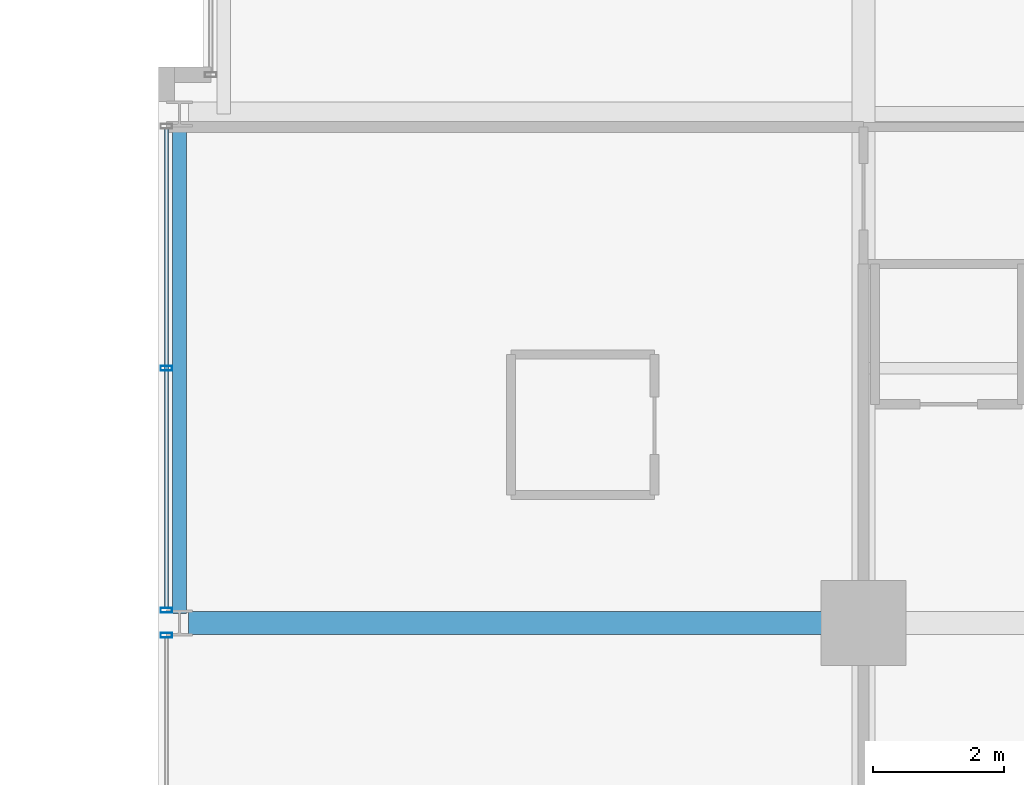
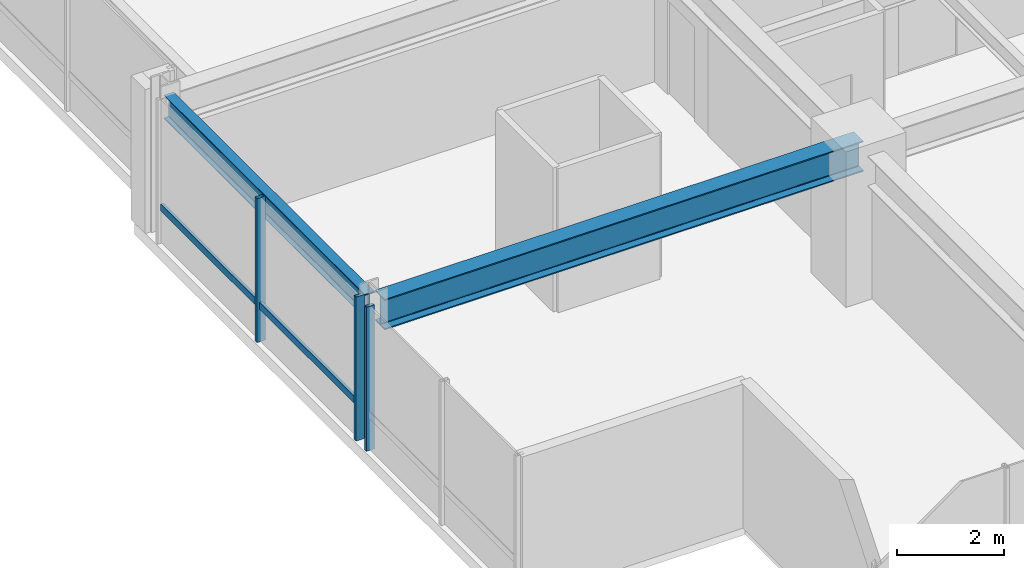
# One storey, part 4 of 32: 4 members, 2 beams, 2 elements without a shape of their own.
"""IFC4 building model written with IfcOpenShell, lengths in metres."""

from ifc_helpers import new_model, si_unit, direction, frame, origin, origin_2d, place, context, subcontext, project, spatial, hollow_rectangle, i_section, extrude, material, layer, layer_set, material_profile, profile_set, type_object, element, aggregate, save


model = new_model("IFC4")

# Units and contexts
model_context = context("Model", 3, precision=1e-05, world=origin(), true_north=direction((0.0, 1.0)))
body_context = subcontext(model_context, "Body", "Model", "MODEL_VIEW")
ifc_project = project(units=[si_unit("LENGTHUNIT", "METRE"), si_unit("AREAUNIT", "SQUARE_METRE"), si_unit("VOLUMEUNIT", "CUBIC_METRE"), si_unit("PLANEANGLEUNIT", "RADIAN"), si_unit("MASSUNIT", "GRAM", prefix="KILO")], contexts=[model_context])

# Site, building, storey
site_placement = place(None, origin())
site = spatial("IfcSite", under=ifc_project, at=site_placement, CompositionType="ELEMENT")
building_placement = place(site_placement, origin())
building = spatial("IfcBuilding", under=site, at=building_placement, Name="Drelvath Grand Hotel", CompositionType="ELEMENT")
storey_placement = place(building_placement, frame((0.0, 0.0, 182.35009765625)))
storey = spatial("IfcBuildingStorey", under=building, at=storey_placement, Name="L47", CompositionType="ELEMENT", Elevation=182.35009765625)

# Curtain wall, member
ifc_material_1 = material(Name="Brushed Pale-Silver Anodised Aluminium Frame", Category="aluminium")
ifc_layer = layer(ifc_material_1, 0.199951171875)
ifc_layer_set = layer_set([ifc_layer], Name="Brushed Pale-Silver Anodised Aluminium Frame")
curtain_wall_type = type_object("IfcCurtainWallType", Name="Stick Curtain Wall CW-04 Brushed Silver Upper-Mid", PredefinedType="NOTDEFINED", material=ifc_layer_set)
curtain_wall_1_placement = place(storey_placement, origin())
curtain_wall_1 = element("IfcCurtainWall", 1, at=curtain_wall_1_placement, inside=storey, type_object=curtain_wall_type, Name="L47 CW-04 Curtain Wall CW04-L47-WS2", PredefinedType="NOTDEFINED")
ifc_material_profile_1 = material_profile(ifc_material_1, hollow_rectangle(XDim=0.06494140625, YDim=0.159912109375, WallThickness=0.00390625, at=origin_2d()), Name="HSS160X65X4")
ifc_profile_set_1 = profile_set([ifc_material_profile_1], Name="Brushed Pale-Silver Anodised Aluminium Frame")
member_type_1 = type_object("IfcMemberType", Name="Curtain Wall Horizontal Transom CW-04 HSS160X65X4", PredefinedType="USERDEFINED", material=ifc_profile_set_1)
member_1_placement = place(storey_placement, frame((-26.8798828125, 11.03173828125, 0.822509765625), z_axis=(0.0, 1.0, 0.0), x_axis=(-1.0, 0.0, 0.0)))
member_1 = element("IfcMember", 2, at=member_1_placement, type_object=member_type_1, Name="CW04-L47-WS2 Sill Transom", ObjectType="TRANSOM", PredefinedType="USERDEFINED", context=body_context, shape_type="SweptSolid", body=[
    extrude(hollow_rectangle(XDim=0.06494140625, YDim=0.159912109375, WallThickness=0.00390625, at=origin_2d()), origin(), (0.0, 0.0, 1.0), 7.336669921875),
])

curtain_wall_2_placement = place(storey_placement, origin())
curtain_wall_2 = element("IfcCurtainWall", 3, at=curtain_wall_2_placement, inside=storey, type_object=curtain_wall_type, Name="L47 CW-04 Curtain Wall CW04-L47-WS1", PredefinedType="NOTDEFINED")
ifc_material_profile_2 = material_profile(ifc_material_1, hollow_rectangle(XDim=0.074951171875, YDim=0.179931640625, WallThickness=0.0048828125, at=origin_2d()), Name="HSS180X75X5")
ifc_profile_set_2 = profile_set([ifc_material_profile_2], Name="Brushed Pale-Silver Anodised Aluminium Frame")
member_type_2 = type_object("IfcMemberType", Name="Curtain Wall Vertical Mullion CW-04 HSS180X75X5", PredefinedType="MULLION", material=ifc_profile_set_2)
member_2_placement = place(storey_placement, frame((-26.8798828125, 10.6083984375, 0.0), z_axis=(0.0, 0.0, 1.0), x_axis=(0.0, 1.0, 0.0)))
member_2 = element("IfcMember", 4, at=member_2_placement, type_object=member_type_2, Name="CW04-L47-WS1 Mullion 3", PredefinedType="MULLION", context=body_context, shape_type="SweptSolid", body=[
    extrude(hollow_rectangle(XDim=0.074951171875, YDim=0.179931640625, WallThickness=0.0048828125, at=origin_2d()), origin(), (0.0, 0.0, 1.0), 3.289794921875),
])
aggregate(curtain_wall_2, [member_2])

# Member
member_3_placement = place(storey_placement, frame((-26.8798828125, 10.99169921875, 0.0), z_axis=(0.0, 0.0, 1.0), x_axis=(0.0, 1.0, 0.0)))
member_3 = element("IfcMember", 5, at=member_3_placement, type_object=member_type_2, Name="CW04-L47-WS2 Mullion 1", PredefinedType="MULLION", context=body_context, shape_type="SweptSolid", body=[
    extrude(hollow_rectangle(XDim=0.074951171875, YDim=0.179931640625, WallThickness=0.0048828125, at=origin_2d()), origin(), (0.0, 0.0, 1.0), 3.289794921875),
])

member_4_placement = place(storey_placement, frame((-26.8798828125, 14.7001953125, 0.0), z_axis=(0.0, 0.0, 1.0), x_axis=(0.0, 1.0, 0.0)))
member_4 = element("IfcMember", 6, at=member_4_placement, type_object=member_type_2, Name="CW04-L47-WS2 Mullion 2", PredefinedType="MULLION", context=body_context, shape_type="SweptSolid", body=[
    extrude(hollow_rectangle(XDim=0.074951171875, YDim=0.179931640625, WallThickness=0.0048828125, at=origin_2d()), origin(), (0.0, 0.0, 1.0), 3.289794921875),
])

aggregate(curtain_wall_1, [member_3, member_4, member_1])

# Beams
ifc_material_2 = material(Name="Steel ASTM A992 Gr 50", Category="steel")
ifc_material_profile_3 = material_profile(ifc_material_2, i_section(OverallWidth=0.210205078125, OverallDepth=0.53662109375, WebThickness=0.010986328125, FlangeThickness=0.017333984375, FilletRadius=0.01806640625, at=origin_2d()), Name="W21X68")
ifc_profile_set_3 = profile_set([ifc_material_profile_3], Name="Steel ASTM A992 Gr 50")
beam_type_1 = type_object("IfcBeamType", Name="Perimeter Spandrel Beam W21X68", PredefinedType="SPANDREL", material=ifc_profile_set_3)
beam_1_placement = place(storey_placement, frame((-26.679931640625, 10.93994140625, 3.021484375), z_axis=(0.0, 1.0, 0.0), x_axis=(-1.0, 0.0, 0.0)))
element("IfcBeam", 7, at=beam_1_placement, inside=storey, type_object=beam_type_1, Name="L47 Spandrel West S", PredefinedType="SPANDREL", context=body_context, shape_type="SweptSolid", body=[
    extrude(i_section(OverallWidth=0.210205078125, OverallDepth=0.53662109375, WebThickness=0.010986328125, FlangeThickness=0.017333984375, FilletRadius=0.01806640625, at=origin_2d()), origin(), (0.0, 0.0, 1.0), 7.52001953125),
])
ifc_material_profile_4 = material_profile(ifc_material_2, i_section(OverallWidth=0.354736328125, OverallDepth=0.695556640625, WebThickness=0.015380859375, FlangeThickness=0.025146484375, FilletRadius=0.02392578125, at=origin_2d()), Name="W27X146")
ifc_profile_set_4 = profile_set([ifc_material_profile_4], Name="Steel ASTM A992 Gr 50")
beam_type_2 = type_object("IfcBeamType", Name="Primary Floor Girder W27X146", PredefinedType="BEAM", material=ifc_profile_set_4)
beam_2_placement = place(storey_placement, frame((-26.5400390625, 10.800048828125, 2.942138671875), z_axis=(1.0, 0.0, 0.0), x_axis=(0.0, 1.0, 0.0)))
element("IfcBeam", 8, at=beam_2_placement, inside=storey, type_object=beam_type_2, Name="L47 West Grid Girder C", PredefinedType="BEAM", context=body_context, shape_type="SweptSolid", body=[
    extrude(i_section(OverallWidth=0.354736328125, OverallDepth=0.695556640625, WebThickness=0.015380859375, FlangeThickness=0.025146484375, FilletRadius=0.02392578125, at=origin_2d()), origin(), (0.0, 0.0, 1.0), 10.340087890625),
])

save(model, "model.ifc")
